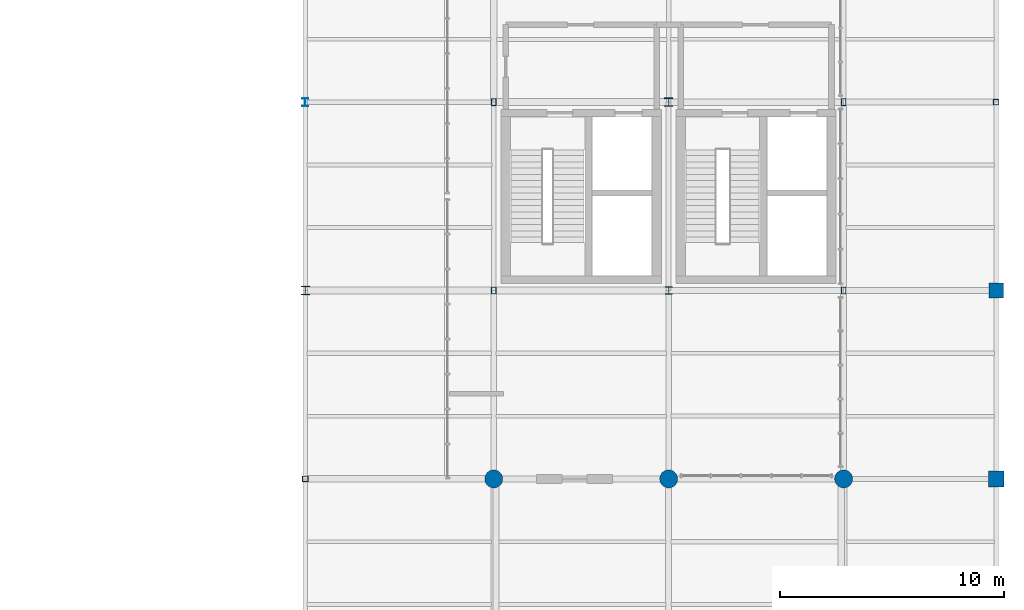
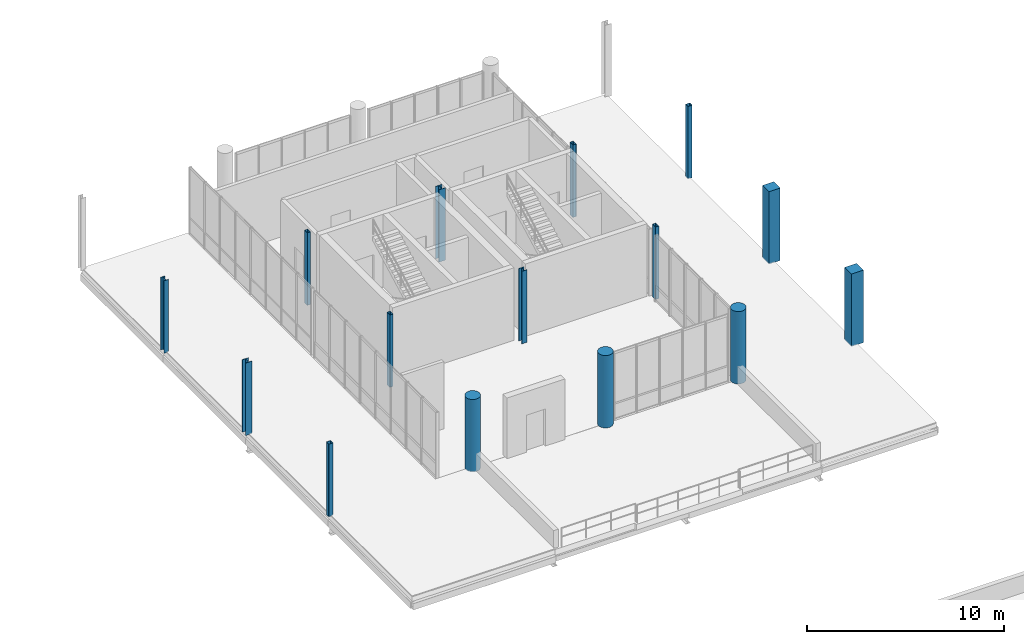
# One storey, part 5 of 68: 15 columns.
"""IFC4 building model written with IfcOpenShell, lengths in metres."""

from ifc_helpers import new_model, si_unit, direction, frame, origin_with_axes, origin_2d_with_axis, place, context, subcontext, project, spatial, rectangle, hollow_rectangle, circle, i_section, extrude, material, material_profile, profile_set, type_object, element, save


model = new_model("IFC4")

# Units and contexts
model_context = context("Model", 3, precision=1e-05, world=origin_with_axes(), true_north=direction((0.0, 1.0)))
body_context = subcontext(model_context, "Body", "Model", "MODEL_VIEW")
ifc_project = project(units=[si_unit("LENGTHUNIT", "METRE"), si_unit("AREAUNIT", "SQUARE_METRE"), si_unit("VOLUMEUNIT", "CUBIC_METRE"), si_unit("PLANEANGLEUNIT", "RADIAN"), si_unit("MASSUNIT", "GRAM", prefix="KILO"), si_unit("THERMODYNAMICTEMPERATUREUNIT", "KELVIN")], contexts=[model_context])

# Site, building, storey
site_placement = place(None, origin_with_axes())
site = spatial("IfcSite", under=ifc_project, at=site_placement, CompositionType="ELEMENT")
building_placement = place(site_placement, origin_with_axes())
building = spatial("IfcBuilding", under=site, at=building_placement, Name="Montbau Bow Law Courts", CompositionType="ELEMENT")
storey_placement = place(building_placement, frame((0.0, 0.0, 20.4), z_axis=(0.0, 0.0, 1.0), x_axis=(1.0, 0.0, 0.0)))
storey = spatial("IfcBuildingStorey", under=building, at=storey_placement, Name="L04", CompositionType="ELEMENT", Elevation=20.4)

# Columns
ifc_material_1 = material(Name="Steel CSA G40.21 Grade 350W (350 MPa)", Category="steel")
ifc_material_profile_1 = material_profile(ifc_material_1, hollow_rectangle(XDim=0.254, YDim=0.254, WallThickness=0.0127, InnerFilletRadius=0.0254, OuterFilletRadius=0.0127, at=origin_2d_with_axis()), Name="HSS254X254X13", Category="Main", Priority=0)
ifc_profile_set_1 = profile_set([ifc_material_profile_1], Name="Steel CSA G40.21 Grade 350W (350 MPa)")
column_type_1 = type_object("IfcColumnType", Name="C-HSS-01", PredefinedType="COLUMN", material=ifc_profile_set_1)
for number, where, z_axis, x_axis, name in (
    (1, (138.6, 78.0, 20.4), (0.0, 0.0, 1.0), (1.0, 0.0, 0.0), "C-L04-S0815:col2_0815"),
    (2, (169.4, 94.8, 20.4), (0.0, 0.0, 1.0), (1.0, 0.0, 0.0), "C-L04-S0833:col2_0833"),
):
    element("IfcColumn", number, at=place(None, frame(where, z_axis=z_axis, x_axis=x_axis)), inside=storey, type_object=column_type_1, Name=name, PredefinedType="COLUMN", context=body_context, shape_type="SweptSolid", body=[
        extrude(hollow_rectangle(XDim=0.254, YDim=0.254, WallThickness=0.0127, InnerFilletRadius=0.0254, OuterFilletRadius=0.0127, at=origin_2d_with_axis()), origin_with_axes(), (0.0, 0.0, 1.0), 4.5),
    ])
ifc_material_2 = material(Name="Steel CSA G40.21 Grade 350WT (350 MPa)", Category="steel")
ifc_material_profile_2 = material_profile(ifc_material_2, hollow_rectangle(XDim=0.203, YDim=0.305, WallThickness=0.0127, InnerFilletRadius=0.0254, OuterFilletRadius=0.0127, at=origin_2d_with_axis()), Name="HSS305X203X13", Category="Main", Priority=0)
ifc_profile_set_2 = profile_set([ifc_material_profile_2], Name="Steel CSA G40.21 Grade 350WT (350 MPa)")
column_type_2 = type_object("IfcColumnType", Name="C-HSS-03", PredefinedType="COLUMN", material=ifc_profile_set_2)
for number, where, z_axis, x_axis, name in (
    (3, (147.0, 86.4, 20.4), (0.0, 0.0, 1.0), (1.0, 0.0, 0.0), "C-L04-S0820:col2_0820"),
    (4, (147.0, 94.8, 20.4), (0.0, 0.0, 1.0), (1.0, 0.0, 0.0), "C-L04-S0821:col2_0821"),
    (5, (162.6, 86.4, 20.4), (0.0, 0.0, 1.0), (1.0, 0.0, 0.0), "C-L04-S0828:col2_0828"),
    (6, (162.6, 94.8, 20.4), (0.0, 0.0, 1.0), (1.0, 0.0, 0.0), "C-L04-S0829:col2_0829"),
):
    element("IfcColumn", number, at=place(None, frame(where, z_axis=z_axis, x_axis=x_axis)), inside=storey, type_object=column_type_2, Name=name, PredefinedType="COLUMN", context=body_context, shape_type="SweptSolid", body=[
        extrude(hollow_rectangle(XDim=0.203, YDim=0.305, WallThickness=0.0127, InnerFilletRadius=0.0254, OuterFilletRadius=0.0127, at=origin_2d_with_axis()), origin_with_axes(), (0.0, 0.0, 1.0), 4.5),
    ])
ifc_material_3 = material(Name="Concrete CSA A23.1 f'c 40 MPa", Category="concrete")
ifc_material_profile_3 = material_profile(ifc_material_3, rectangle(XDim=0.7, YDim=0.7, at=origin_2d_with_axis()), Name="RC700X700", Category="Main", Priority=0)
ifc_profile_set_3 = profile_set([ifc_material_profile_3], Name="Concrete CSA A23.1 f'c 40 MPa")
column_type_3 = type_object("IfcColumnType", Name="C-RC-04", PredefinedType="COLUMN", material=ifc_profile_set_3)
column_1_placement = place(None, frame((169.4, 78.0, 20.4), z_axis=(0.0, 0.0, 1.0), x_axis=(1.0, 0.0, 0.0)))
element("IfcColumn", 7, at=column_1_placement, inside=storey, type_object=column_type_3, Name="C-L04-S0831:col2_0831", PredefinedType="COLUMN", context=body_context, shape_type="SweptSolid", body=[
    extrude(rectangle(XDim=0.7, YDim=0.7, at=origin_2d_with_axis()), origin_with_axes(), (0.0, 0.0, 1.0), 4.5),
])
ifc_material_profile_4 = material_profile(ifc_material_3, rectangle(XDim=0.65, YDim=0.65, at=origin_2d_with_axis()), Name="RC650X650", Category="Main", Priority=0)
ifc_profile_set_4 = profile_set([ifc_material_profile_4], Name="Concrete CSA A23.1 f'c 40 MPa")
column_type_4 = type_object("IfcColumnType", Name="C-RC-05", PredefinedType="COLUMN", material=ifc_profile_set_4)
column_2_placement = place(None, frame((169.4, 86.4, 20.4), z_axis=(0.0, 0.0, 1.0), x_axis=(1.0, 0.0, 0.0)))
element("IfcColumn", 8, at=column_2_placement, inside=storey, type_object=column_type_4, Name="C-L04-S0832:col2_0832", PredefinedType="COLUMN", context=body_context, shape_type="SweptSolid", body=[
    extrude(rectangle(XDim=0.65, YDim=0.65, at=origin_2d_with_axis()), origin_with_axes(), (0.0, 0.0, 1.0), 4.5),
])
ifc_material_profile_5 = material_profile(ifc_material_3, circle(Radius=0.4, at=origin_2d_with_axis()), Name="RC800D", Category="Main", Priority=0)
ifc_profile_set_5 = profile_set([ifc_material_profile_5], Name="Concrete CSA A23.1 f'c 40 MPa")
column_type_5 = type_object("IfcColumnType", Name="C-RC-07", PredefinedType="COLUMN", material=ifc_profile_set_5)
for number, where, z_axis, x_axis, name in (
    (9, (147.0, 78.0, 20.4), (0.0, 0.0, 1.0), (1.0, 0.0, 0.0), "C-L04-S0819:col2_0819"),
    (10, (154.8, 78.0, 20.4), (0.0, 0.0, 1.0), (1.0, 0.0, 0.0), "C-L04-S0823:col2_0823"),
    (11, (162.6, 78.0, 20.4), (0.0, 0.0, 1.0), (1.0, 0.0, 0.0), "C-L04-S0827:col2_0827"),
):
    element("IfcColumn", number, at=place(None, frame(where, z_axis=z_axis, x_axis=x_axis)), inside=storey, type_object=column_type_5, Name=name, PredefinedType="COLUMN", context=body_context, shape_type="SweptSolid", body=[
        extrude(circle(Radius=0.4, at=origin_2d_with_axis()), origin_with_axes(), (0.0, 0.0, 1.0), 4.5),
    ])
ifc_material_profile_6 = material_profile(ifc_material_1, i_section(OverallWidth=0.373, OverallDepth=0.368, WebThickness=0.015, FlangeThickness=0.0239, at=origin_2d_with_axis()), Name="W360X179", Category="Main", Priority=0)
ifc_profile_set_6 = profile_set([ifc_material_profile_6], Name="Steel CSA G40.21 Grade 350W (350 MPa)")
column_type_6 = type_object("IfcColumnType", Name="C-STL-04", PredefinedType="COLUMN", material=ifc_profile_set_6)
for number, where, z_axis, x_axis, name in (
    (12, (138.6, 86.4, 20.4), (0.0, 0.0, 1.0), (1.0, 0.0, 0.0), "C-L04-S0816:col2_0816"),
    (13, (154.8, 94.8, 20.4), (0.0, 0.0, 1.0), (1.0, 0.0, 0.0), "C-L04-S0825:col2_0825"),
):
    element("IfcColumn", number, at=place(None, frame(where, z_axis=z_axis, x_axis=x_axis)), inside=storey, type_object=column_type_6, Name=name, PredefinedType="COLUMN", context=body_context, shape_type="SweptSolid", body=[
        extrude(i_section(OverallWidth=0.373, OverallDepth=0.368, WebThickness=0.015, FlangeThickness=0.0239, at=origin_2d_with_axis()), origin_with_axes(), (0.0, 0.0, 1.0), 4.5),
    ])
ifc_material_profile_7 = material_profile(ifc_material_1, i_section(OverallWidth=0.257, OverallDepth=0.363, WebThickness=0.013, FlangeThickness=0.0217, at=origin_2d_with_axis()), Name="W360X122", Category="Main", Priority=0)
ifc_profile_set_7 = profile_set([ifc_material_profile_7], Name="Steel CSA G40.21 Grade 350W (350 MPa)")
column_type_7 = type_object("IfcColumnType", Name="C-STL-05", PredefinedType="COLUMN", material=ifc_profile_set_7)
column_3_placement = place(None, frame((138.6, 94.8, 20.4), z_axis=(0.0, 0.0, 1.0), x_axis=(1.0, 0.0, 0.0)))
element("IfcColumn", 14, at=column_3_placement, inside=storey, type_object=column_type_7, Name="C-L04-S0817:col2_0817", PredefinedType="COLUMN", context=body_context, shape_type="SweptSolid", body=[
    extrude(i_section(OverallWidth=0.257, OverallDepth=0.363, WebThickness=0.013, FlangeThickness=0.0217, at=origin_2d_with_axis()), origin_with_axes(), (0.0, 0.0, 1.0), 4.5),
])
ifc_material_profile_8 = material_profile(ifc_material_1, i_section(OverallWidth=0.309, OverallDepth=0.323, WebThickness=0.014, FlangeThickness=0.0229, at=origin_2d_with_axis()), Name="W310X143", Category="Main", Priority=0)
ifc_profile_set_8 = profile_set([ifc_material_profile_8], Name="Steel CSA G40.21 Grade 350W (350 MPa)")
column_type_8 = type_object("IfcColumnType", Name="C-STL-06", PredefinedType="COLUMN", material=ifc_profile_set_8)
column_4_placement = place(None, frame((154.8, 86.4, 20.4), z_axis=(0.0, 0.0, 1.0), x_axis=(1.0, 0.0, 0.0)))
element("IfcColumn", 15, at=column_4_placement, inside=storey, type_object=column_type_8, Name="C-L04-S0824:col2_0824", PredefinedType="COLUMN", context=body_context, shape_type="SweptSolid", body=[
    extrude(i_section(OverallWidth=0.309, OverallDepth=0.323, WebThickness=0.014, FlangeThickness=0.0229, at=origin_2d_with_axis()), origin_with_axes(), (0.0, 0.0, 1.0), 4.5),
])

save(model, "model.ifc")
